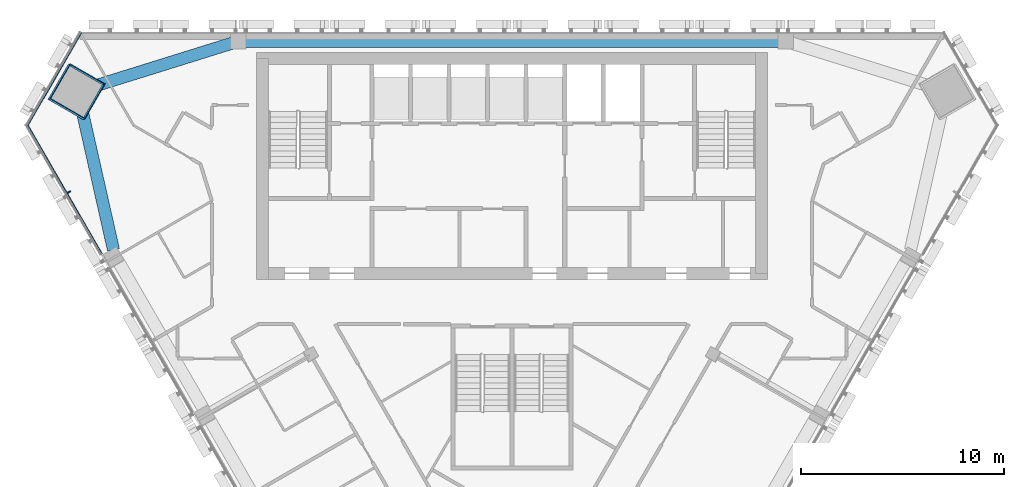
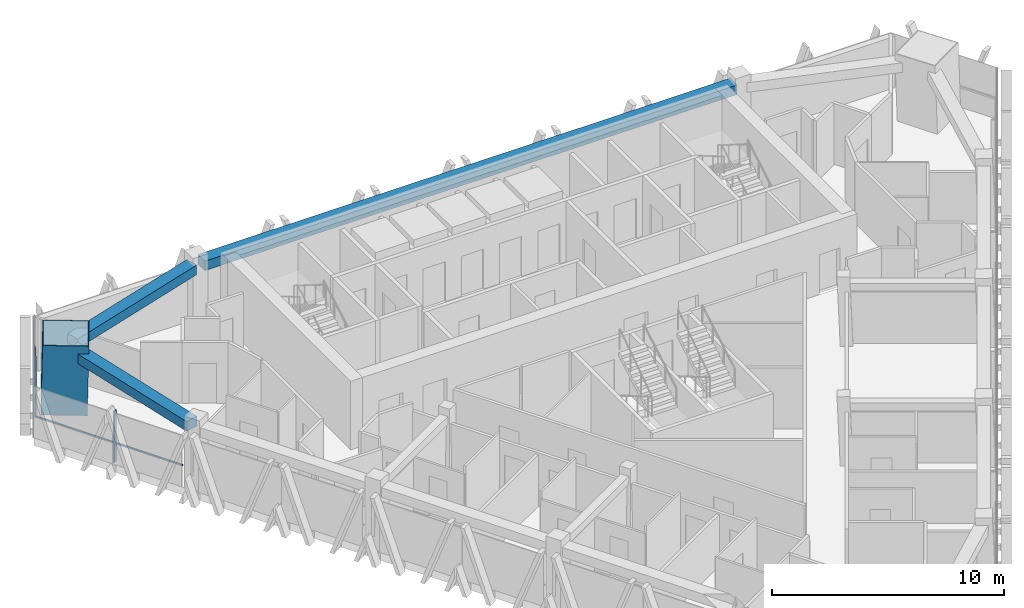
# One storey, part 5 of 15: 4 members, 3 beams, 2 elements without a shape of their own.
"""IFC4 building model written with IfcOpenShell, lengths in metres."""

import ifcopenshell
import ifcopenshell.guid

model = None  # the IFC model being written
_history = None  # IfcOwnerHistory: only IFC2X3 demands one
_inside = {}  # id of a spatial element -> (the spatial element, [elements in it])
_under = {}  # id of a project, library or spatial element -> (it, [spatial elements below it])
_declared = {}  # id of a project -> (the project, [libraries it declares])
_typed = {}  # id of a type object -> (the type object, [elements of that type])
_made_of = {}  # id of a material, layer set ... -> (it, [elements and type objects made of it])


def new_model(schema):
    """Start an empty IFC model of exactly this schema.

    Asked for "IFC4X3", IfcOpenShell would pick the latest addendum, in which some entities
    have other attributes; the version numbers below select the first issue.
    IFC2X3 requires an IfcOwnerHistory on every rooted entity: one is made here for all.
    """
    global model, _history
    if schema == "IFC4X3":
        model = ifcopenshell.file(schema_version=(4, 3, 0, 0))
    else:
        model = ifcopenshell.file(schema=schema)
    _inside.clear()
    _under.clear()
    _declared.clear()
    _typed.clear()
    _made_of.clear()
    _history = None
    if model.schema == "IFC2X3":
        org = make("IfcOrganization", Name="unknown")
        user = make(
            "IfcPersonAndOrganization",
            ThePerson=make("IfcPerson", FamilyName="unknown"),
            TheOrganization=org,
        )
        app = make(
            "IfcApplication",
            ApplicationDeveloper=org,
            Version="unknown",
            ApplicationFullName="unknown",
            ApplicationIdentifier="unknown",
        )
        _history = make(
            "IfcOwnerHistory",
            OwningUser=user,
            OwningApplication=app,
            ChangeAction="ADDED",
            CreationDate=0,
        )
    return model


def make(cls, **values):
    """One entity of the class cls with the attributes given. An attribute that is None is left unset."""
    return model.create_entity(
        cls, **{name: value for name, value in values.items() if value is not None}
    )


def rooted(cls, **values):
    """An entity with a GlobalId (a new one), such as an element, a storey or a relation."""
    return make(cls, GlobalId=ifcopenshell.guid.new(), OwnerHistory=_history, **values)


def si_unit(unit_type, name, prefix=None):
    """IfcSIUnit, for example si_unit("LENGTHUNIT", "METRE", prefix="MILLI")."""
    return make("IfcSIUnit", UnitType=unit_type, Prefix=prefix, Name=name)


def assignment(units):
    """IfcUnitAssignment: the units of a project."""
    return None if units is None else make("IfcUnitAssignment", Units=units)


def point(xyz):
    """IfcCartesianPoint."""
    return None if xyz is None else make("IfcCartesianPoint", Coordinates=xyz)


def direction(xyz):
    """IfcDirection."""
    return None if xyz is None else make("IfcDirection", DirectionRatios=xyz)


def frame(location, z_axis=None, x_axis=None):
    """IfcAxis2Placement3D, a coordinate frame: its origin and axes. An axis left out is left unset."""
    return make(
        "IfcAxis2Placement3D",
        Location=point(location),
        Axis=direction(z_axis),
        RefDirection=direction(x_axis),
    )


def frame_2d(location, x_axis=None):
    """IfcAxis2Placement2D, a coordinate frame in the plane: its origin and x axis."""
    return make(
        "IfcAxis2Placement2D", Location=point(location), RefDirection=direction(x_axis)
    )


def origin():
    """The frame at (0, 0, 0) with its axes left unset."""
    return frame((0.0, 0.0, 0.0))


def origin_2d():
    """The frame at (0, 0) in the plane with its x axis left unset."""
    return frame_2d((0.0, 0.0))


def place(relative_to, where):
    """IfcLocalPlacement: puts the frame where relative to a parent placement (None: the world)."""
    return make(
        "IfcLocalPlacement", PlacementRelTo=relative_to, RelativePlacement=where
    )


def context(
    kind, dimensions, precision=None, world=None, true_north=None, identifier=None
):
    """IfcGeometricRepresentationContext, for example the 3D "Model" context."""
    return make(
        "IfcGeometricRepresentationContext",
        ContextIdentifier=identifier,
        ContextType=kind,
        CoordinateSpaceDimension=dimensions,
        Precision=precision,
        WorldCoordinateSystem=world,
        TrueNorth=true_north,
    )


def subcontext(parent, identifier, kind, view, scale=None):
    """IfcGeometricRepresentationSubContext, for example "Body" below "Model"."""
    return make(
        "IfcGeometricRepresentationSubContext",
        ContextIdentifier=identifier,
        ContextType=kind,
        ParentContext=parent,
        TargetScale=scale,
        TargetView=view,
    )


def project(units=None, contexts=None):
    """IfcProject with its units and contexts."""
    return rooted(
        "IfcProject",
        Name="project",
        RepresentationContexts=contexts,
        UnitsInContext=assignment(units),
    )


def spatial(cls, under=None, at=None, **own):
    """A site, building, storey or space (cls), placed at a placement, below another one or the project."""
    s = rooted(cls, ObjectPlacement=at, **own)
    if under is not None:
        _under.setdefault(under.id(), (under, []))[1].append(s)
    return s


def profile(cls, at=None, kind="AREA", **sizes):
    """A parametric profile (cls). Its sizes go by their IFC names, for example OverallWidth=200.0."""
    return make(cls, ProfileType=kind, Position=at, **sizes)


def rectangle(**sizes):
    """IfcRectangleProfileDef."""
    return profile("IfcRectangleProfileDef", **sizes)


def hollow_rectangle(**sizes):
    """IfcRectangleHollowProfileDef."""
    return profile("IfcRectangleHollowProfileDef", **sizes)


def extrude(swept, where, along, depth):
    """IfcExtrudedAreaSolid: the profile swept, set in the frame where, extruded along a direction by depth."""
    return make(
        "IfcExtrudedAreaSolid",
        SweptArea=swept,
        Position=where,
        ExtrudedDirection=direction(along),
        Depth=depth,
    )


def shape(context_of_items, identifier, shape_type, items):
    """IfcShapeRepresentation: the items that make up one representation, for example the "Body"."""
    return make(
        "IfcShapeRepresentation",
        ContextOfItems=context_of_items,
        RepresentationIdentifier=identifier,
        RepresentationType=shape_type,
        Items=items,
    )


def material(Name=None, Category=None):
    """IfcMaterial."""
    return make("IfcMaterial", Name=Name, Category=Category)


def layer(
    of_material, thickness, ventilated=None, Name=None, Category=None, Priority=None
):
    """IfcMaterialLayer: one layer of a wall or slab, of a material (None: an air gap)."""
    return make(
        "IfcMaterialLayer",
        Material=of_material,
        LayerThickness=thickness,
        IsVentilated=ventilated,
        Name=Name,
        Category=Category,
        Priority=Priority,
    )


def layer_set(layers, Name=None):
    """IfcMaterialLayerSet."""
    return make("IfcMaterialLayerSet", MaterialLayers=layers, LayerSetName=Name)


def material_profile(
    of_material, cross_section, Name=None, Category=None, Priority=None
):
    """IfcMaterialProfile: a cross section and its material."""
    return make(
        "IfcMaterialProfile",
        Name=Name,
        Material=of_material,
        Profile=cross_section,
        Priority=Priority,
        Category=Category,
    )


def profile_set(profiles, Name=None, composite=None):
    """IfcMaterialProfileSet."""
    return make(
        "IfcMaterialProfileSet",
        Name=Name,
        MaterialProfiles=profiles,
        CompositeProfile=composite,
    )


def made_of(thing, what):
    """Note that an element or type object is made of a material, layer set ...; save() writes the relation."""
    if what is not None:
        _made_of.setdefault(what.id(), (what, []))[1].append(thing)
    return thing


def type_object(cls, material=None, **own):
    """A type object (cls), such as IfcWallType, which elements share."""
    return made_of(rooted(cls, **own), material)


def element(
    cls,
    number,
    at=None,
    inside=None,
    cuts=None,
    type_object=None,
    material=None,
    context=None,
    identifier="Body",
    shape_type=None,
    held_by="IfcProductDefinitionShape",
    body=None,
    shapes=None,
    **own,
):
    """One element of the class cls, such as IfcWall. Its Tag is "e" and its number.

    at: its placement. inside: the storey or other place that contains it. cuts: it is an
    opening in that element (IfcRelVoidsElement). A single representation is given by context,
    identifier, shape_type and body (its items); several are given by shapes. held_by: the class
    of the entity that holds the representations. save() writes the other relations.
    """
    e = rooted(cls, Tag="e%d" % number, ObjectPlacement=at, **own)
    if body is not None:
        shapes = [shape(context, identifier, shape_type, body)]
    if shapes is not None:
        e.Representation = make(held_by, Representations=shapes)
    if inside is not None:
        _inside.setdefault(inside.id(), (inside, []))[1].append(e)
    if cuts is not None:
        rooted(
            "IfcRelVoidsElement", RelatingBuildingElement=cuts, RelatedOpeningElement=e
        )
    if type_object is not None:
        _typed.setdefault(type_object.id(), (type_object, []))[1].append(e)
    return made_of(e, material)


def aggregate(whole, parts):
    """IfcRelAggregates: a whole, such as a stair, and the parts it consists of."""
    return rooted("IfcRelAggregates", RelatingObject=whole, RelatedObjects=parts)


def save(model, path):
    """Write the relations noted so far, then the file.

    IfcRelAggregates (storeys below a building ...), IfcRelContainedInSpatialStructure (elements
    in a storey), IfcRelDefinesByType, IfcRelAssociatesMaterial and IfcRelDeclares: one each for
    every whole, place, type object, material and project.
    """
    for whole, parts in _under.values():
        aggregate(whole, parts)
    for where, things in _inside.values():
        rooted(
            "IfcRelContainedInSpatialStructure",
            RelatedElements=things,
            RelatingStructure=where,
        )
    for kind, things in _typed.values():
        rooted("IfcRelDefinesByType", RelatedObjects=things, RelatingType=kind)
    for what, things in _made_of.values():
        rooted("IfcRelAssociatesMaterial", RelatedObjects=things, RelatingMaterial=what)
    for by, libraries in _declared.values():
        rooted("IfcRelDeclares", RelatingContext=by, RelatedDefinitions=libraries)
    model.write(path)


model = new_model("IFC4")

# Units and contexts
model_context = context("Model", 3, precision=1e-05, world=origin(), true_north=direction((0.0, 1.0)))
body_context = subcontext(model_context, "Body", "Model", "MODEL_VIEW")
ifc_project = project(units=[si_unit("LENGTHUNIT", "METRE"), si_unit("AREAUNIT", "SQUARE_METRE"), si_unit("VOLUMEUNIT", "CUBIC_METRE"), si_unit("PLANEANGLEUNIT", "RADIAN"), si_unit("MASSUNIT", "GRAM", prefix="KILO")], contexts=[model_context])

# Site, building, storey
site_placement = place(None, origin())
site = spatial("IfcSite", under=ifc_project, at=site_placement, CompositionType="ELEMENT")
building_placement = place(site_placement, origin())
building = spatial("IfcBuilding", under=site, at=building_placement, Name="Altiplano Prism Tower", CompositionType="ELEMENT")
storey_placement = place(building_placement, frame((0.0, 0.0, 246.39990234375)))
storey = spatial("IfcBuildingStorey", under=building, at=storey_placement, Name="L63", CompositionType="ELEMENT", Elevation=246.39990234375)

# Curtain wall, member
ifc_material_1 = material(Name="Aluminium and glass", Category="aluminium")
ifc_layer = layer(ifc_material_1, 0.280029296875)
ifc_layer_set = layer_set([ifc_layer], Name="Aluminium and glass")
curtain_wall_type = type_object("IfcCurtainWallType", Name="CW1 typical co-living unitised curtain wall", PredefinedType="NOTDEFINED", material=ifc_layer_set)
curtain_wall_1_placement = place(storey_placement, origin())
curtain_wall_1 = element("IfcCurtainWall", 1, at=curtain_wall_1_placement, inside=storey, type_object=curtain_wall_type, Name="CW1 curtain wall south-west face L63", PredefinedType="NOTDEFINED")
ifc_material_2 = material(Name="Aluminium", Category="aluminium")
ifc_material_profile_1 = material_profile(ifc_material_2, rectangle(XDim=0.179931640625, YDim=0.06494140625, at=origin_2d()), Name="CW1 mullion 65 x 180")
ifc_profile_set_1 = profile_set([ifc_material_profile_1], Name="Aluminium")
member_type_1 = type_object("IfcMemberType", Name="CW1 mullion 65 x 180", PredefinedType="MULLION", material=ifc_profile_set_1)
member_1_placement = place(storey_placement, frame((63.1494140625, 97.113525390625, 0.0), z_axis=(0.0, 0.0, 1.0), x_axis=(0.866025400486, 0.500000005713, 0.0)))
member_1 = element("IfcMember", 2, at=member_1_placement, type_object=member_type_1, Name="CW1 mullion", PredefinedType="MULLION", context=body_context, shape_type="SweptSolid", body=[
    extrude(rectangle(XDim=0.179931640625, YDim=0.06494140625, at=origin_2d()), origin(), (0.0, 0.0, 1.0), 2.7001953125),
])

curtain_wall_2_placement = place(storey_placement, origin())
curtain_wall_2 = element("IfcCurtainWall", 3, at=curtain_wall_2_placement, inside=storey, type_object=curtain_wall_type, Name="CW1 curtain wall north-west chamfer L63", PredefinedType="NOTDEFINED")
ifc_material_profile_2 = material_profile(ifc_material_2, rectangle(XDim=0.06005859375, YDim=0.080078125, at=origin_2d()), Name="CW1 transom 80 x 60")
ifc_profile_set_2 = profile_set([ifc_material_profile_2], Name="Aluminium")
member_type_2 = type_object("IfcMemberType", Name="CW1 transom 80 x 60", PredefinedType="USERDEFINED", material=ifc_profile_set_2)
member_2_placement = place(storey_placement, frame((63.74658203125, 104.965087890625, 1.10009765625), z_axis=(-0.499991804824, -0.86603013522, 0.0), x_axis=(0.86603013522, -0.499991804824, 0.0)))
member_2 = element("IfcMember", 4, at=member_2_placement, type_object=member_type_2, Name="CW1 transom", ObjectType="TRANSOM", PredefinedType="USERDEFINED", context=body_context, shape_type="SweptSolid", body=[
    extrude(rectangle(XDim=0.06005859375, YDim=0.080078125, at=origin_2d()), origin(), (0.0, 0.0, 1.0), 5.30908203125),
])
aggregate(curtain_wall_2, [member_2])

# Member
member_3_placement = place(storey_placement, frame((61.092041015625, 100.437255859375, 1.10009765625), z_axis=(0.49999238347, -0.866029801145, 0.0), x_axis=(0.866029801145, 0.49999238347, 0.0)))
member_3 = element("IfcMember", 5, at=member_3_placement, type_object=member_type_2, Name="CW1 transom", ObjectType="TRANSOM", PredefinedType="USERDEFINED", context=body_context, shape_type="SweptSolid", body=[
    extrude(rectangle(XDim=0.06005859375, YDim=0.080078125, at=origin_2d()), origin(), (0.0, 0.0, 1.0), 7.359375),
])

aggregate(curtain_wall_1, [member_1, member_3])

# Beams
ifc_material_3 = material(Name="Concrete C60/75", Category="concrete")
ifc_material_profile_3 = material_profile(ifc_material_3, rectangle(XDim=0.60009765625, YDim=0.5, at=origin_2d()), Name="Edge beam 600x500")
ifc_profile_set_3 = profile_set([ifc_material_profile_3], Name="Concrete C60/75")
beam_type = type_object("IfcBeamType", Name="Edge beam 600x500", PredefinedType="SPANDREL", material=ifc_profile_set_3)
beam_1_placement = place(storey_placement, frame((98.2451171875, 104.550048828125, 2.9501953125), z_axis=(-1.0, 0.0, 0.0), x_axis=(0.0, -1.0, 0.0)))
element("IfcBeam", 6, at=beam_1_placement, inside=storey, type_object=beam_type, Name="Edge beam P01-P04 L64", PredefinedType="SPANDREL", context=body_context, shape_type="SweptSolid", body=[
    extrude(rectangle(XDim=0.60009765625, YDim=0.5, at=origin_2d()), origin(), (0.0, 0.0, 1.0), 26.490234375),
])
beam_2_placement = place(storey_placement, frame((71.239501953125, 104.46875, 2.9501953125), z_axis=(-0.9547334268, -0.297462743468, 0.0), x_axis=(0.297462743468, -0.9547334268, 0.0)))
element("IfcBeam", 7, at=beam_2_placement, inside=storey, type_object=beam_type, Name="Edge beam P04-M0 L64", PredefinedType="SPANDREL", context=body_context, shape_type="SweptSolid", body=[
    extrude(rectangle(XDim=0.60009765625, YDim=0.5, at=origin_2d()), origin(), (0.0, 0.0, 1.0), 7.565673828125),
])
beam_3_placement = place(storey_placement, frame((63.685546875, 101.6455078125, 2.9501953125), z_axis=(0.21975175833, -0.975555823472, 0.0), x_axis=(0.975555823472, 0.21975175833, 0.0)))
element("IfcBeam", 8, at=beam_3_placement, inside=storey, type_object=beam_type, Name="Edge beam M0-P11 L64", PredefinedType="SPANDREL", context=body_context, shape_type="SweptSolid", body=[
    extrude(rectangle(XDim=0.60009765625, YDim=0.5, at=origin_2d()), origin(), (0.0, 0.0, 1.0), 7.56591796875),
])

# Member
ifc_material_4 = material(Name="Steel S460", Category="steel")
ifc_material_profile_4 = material_profile(ifc_material_4, hollow_rectangle(XDim=2.0, YDim=2.0, WallThickness=0.0400390625, at=origin_2d()), Name="Mega column tube 2000")
ifc_profile_set_4 = profile_set([ifc_material_profile_4], Name="Steel S460")
member_type_3 = type_object("IfcMemberType", Name="Mega column tube 2000", PredefinedType="POST", material=ifc_profile_set_4)
member_4_placement = place(storey_placement, frame((63.484375, 102.051025390625, 0.0), z_axis=(0.028401796786, 0.009286506348, 0.999553449666), x_axis=(-0.866201907257, 0.499294801656, 0.019973905555)))
element("IfcMember", 9, at=member_4_placement, inside=storey, type_object=member_type_3, Name="Mega column tube M0 L63", PredefinedType="POST", context=body_context, shape_type="SweptSolid", body=[
    extrude(hollow_rectangle(XDim=2.0, YDim=2.0, WallThickness=0.0400390625, at=origin_2d()), origin(), (0.0, 0.0, 1.0), 3.601806640625),
])

save(model, "model.ifc")
